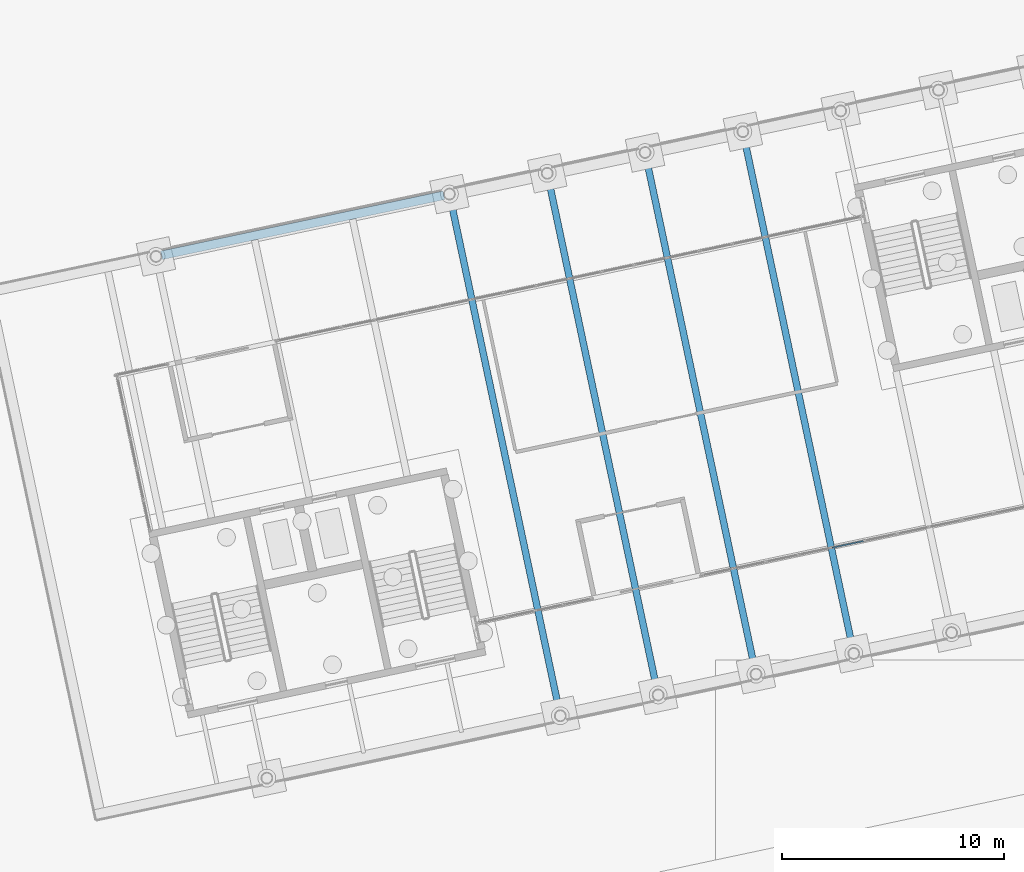
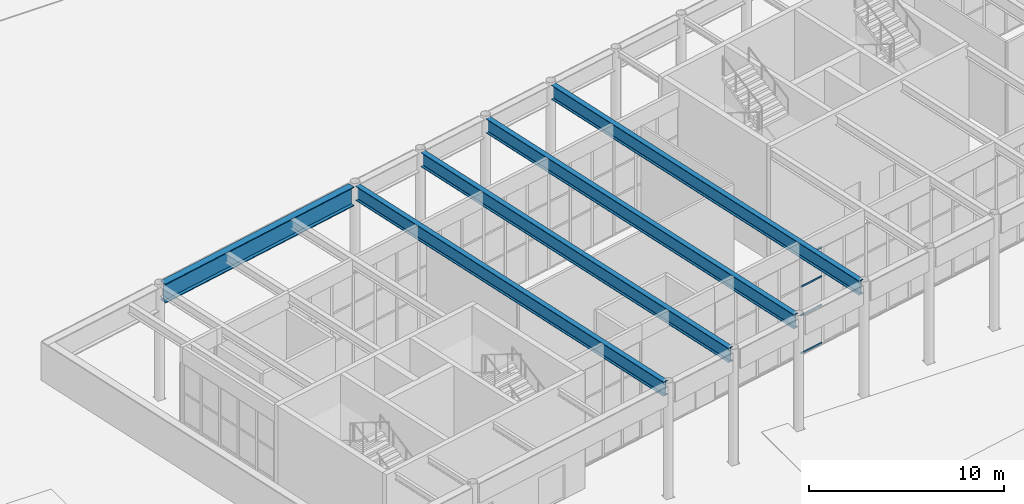
# One storey, part 57 of 239: 5 beams, 4 members, 1 element without a shape of its own.
"""IFC4 building model written with IfcOpenShell, lengths in metres."""

from ifc_helpers import new_model, si_unit, direction, frame, origin, origin_2d, place, context, subcontext, project, spatial, hollow_rectangle, i_section, extrude, material, material_profile, profile_set, type_object, element, aggregate, save


model = new_model("IFC4")

# Units and contexts
model_context = context("Model", 3, precision=1e-05, world=origin(), true_north=direction((0.0, 1.0)))
body_context = subcontext(model_context, "Body", "Model", "MODEL_VIEW")
ifc_project = project(units=[si_unit("LENGTHUNIT", "METRE"), si_unit("AREAUNIT", "SQUARE_METRE"), si_unit("VOLUMEUNIT", "CUBIC_METRE"), si_unit("PLANEANGLEUNIT", "RADIAN"), si_unit("MASSUNIT", "GRAM", prefix="KILO")], contexts=[model_context])

# Site, building, storey
site_placement = place(None, origin())
site = spatial("IfcSite", under=ifc_project, at=site_placement, CompositionType="ELEMENT")
building_placement = place(site_placement, origin())
building = spatial("IfcBuilding", under=site, at=building_placement, Name="Okhra Congress Centre", CompositionType="ELEMENT")
storey_placement = place(building_placement, origin())
storey = spatial("IfcBuildingStorey", under=building, at=storey_placement, Name="L00", CompositionType="ELEMENT", Elevation=0.0)

# Curtain wall, members
ifc_material_1 = material(Name="Aluminium curtain wall, triple glazing", Category="aluminium")
curtain_wall_type = type_object("IfcCurtainWallType", Name="Curtain wall 1500 module", PredefinedType="NOTDEFINED", material=ifc_material_1)
curtain_wall_placement = place(storey_placement, origin())
curtain_wall = element("IfcCurtainWall", 1, at=curtain_wall_placement, inside=storey, type_object=curtain_wall_type, Name="Ground curtain wall S2", PredefinedType="NOTDEFINED")
ifc_material_2 = material(Name="Aluminium alloy EN AW-6063 T66", Category="aluminium")
ifc_material_profile_1 = material_profile(ifc_material_2, hollow_rectangle(XDim=0.06005859375, YDim=0.10009765625, WallThickness=0.00390625, at=origin_2d()), Name="RHS 60x100x4")
ifc_profile_set_1 = profile_set([ifc_material_profile_1], Name="Aluminium alloy EN AW-6063 T66")
member_type = type_object("IfcMemberType", Name="Curtain wall transom 60x100", PredefinedType="USERDEFINED", material=ifc_profile_set_1)
member_1_placement = place(storey_placement, frame((95.244140625, 39.04931640625, 0.030029296875), z_axis=(0.978163159179, 0.207838480616, 0.0), x_axis=(-0.207838480616, 0.978163159179, 0.0)))
member_1 = element("IfcMember", 2, at=member_1_placement, type_object=member_type, Name="CW7 transom 5.1", ObjectType="TRANSOM", PredefinedType="USERDEFINED", context=body_context, shape_type="SweptSolid", body=[
    extrude(hollow_rectangle(XDim=0.06005859375, YDim=0.10009765625, WallThickness=0.00390625, at=origin_2d()), origin(), (0.0, 0.0, 1.0), 1.440185546875),
])
member_2_placement = place(storey_placement, frame((95.244140625, 39.04931640625, 2.39990234375), z_axis=(0.978163159179, 0.207838480616, 0.0), x_axis=(-0.207838480616, 0.978163159179, 0.0)))
member_2 = element("IfcMember", 3, at=member_2_placement, type_object=member_type, Name="CW7 transom 5.2", ObjectType="TRANSOM", PredefinedType="USERDEFINED", context=body_context, shape_type="SweptSolid", body=[
    extrude(hollow_rectangle(XDim=0.06005859375, YDim=0.10009765625, WallThickness=0.00390625, at=origin_2d()), origin(), (0.0, 0.0, 1.0), 1.440185546875),
])
member_3_placement = place(storey_placement, frame((95.244140625, 39.04931640625, 4.199951171875), z_axis=(0.978163159179, 0.207838480616, 0.0), x_axis=(-0.207838480616, 0.978163159179, 0.0)))
member_3 = element("IfcMember", 4, at=member_3_placement, type_object=member_type, Name="CW7 transom 5.3", ObjectType="TRANSOM", PredefinedType="USERDEFINED", context=body_context, shape_type="SweptSolid", body=[
    extrude(hollow_rectangle(XDim=0.06005859375, YDim=0.10009765625, WallThickness=0.00390625, at=origin_2d()), origin(), (0.0, 0.0, 1.0), 1.440185546875),
])
member_4_placement = place(storey_placement, frame((95.244140625, 39.04931640625, 6.02001953125), z_axis=(0.978163159179, 0.207838480616, 0.0), x_axis=(-0.207838480616, 0.978163159179, 0.0)))
member_4 = element("IfcMember", 5, at=member_4_placement, type_object=member_type, Name="CW7 transom 5.4", ObjectType="TRANSOM", PredefinedType="USERDEFINED", context=body_context, shape_type="SweptSolid", body=[
    extrude(hollow_rectangle(XDim=0.06005859375, YDim=0.10009765625, WallThickness=0.00390625, at=origin_2d()), origin(), (0.0, 0.0, 1.0), 1.440185546875),
])
aggregate(curtain_wall, [member_1, member_2, member_3, member_4])

# Beams
ifc_material_3 = material(Name="Steel S355J2", Category="steel")
ifc_material_profile_2 = material_profile(ifc_material_3, i_section(OverallWidth=0.300048828125, OverallDepth=0.89990234375, WebThickness=0.0185546875, FlangeThickness=0.034912109375, FilletRadius=0.030029296875, at=origin_2d()), Name="HE 900 B")
ifc_profile_set_2 = profile_set([ifc_material_profile_2], Name="Steel S355J2")
beam_type_1 = type_object("IfcBeamType", Name="Floor beam HE 900 B", PredefinedType="BEAM", material=ifc_profile_set_2)
beam_1_placement = place(storey_placement, frame((82.977783203125, 31.682861328125, 6.60009765625), z_axis=(-0.20791307081, 0.978147307406, 0.0), x_axis=(-0.978147307406, -0.20791307081, 0.0)))
element("IfcBeam", 6, at=beam_1_placement, inside=storey, type_object=beam_type_1, Name="Floor beam 5.1", PredefinedType="BEAM", context=body_context, shape_type="SweptSolid", body=[
    extrude(i_section(OverallWidth=0.300048828125, OverallDepth=0.89990234375, WebThickness=0.0185546875, FlangeThickness=0.034912109375, FilletRadius=0.030029296875, at=origin_2d()), origin(), (0.0, 0.0, 1.0), 23.599853515625),
])
beam_2_placement = place(storey_placement, frame((87.37939453125, 32.618408203125, 6.60009765625), z_axis=(-0.207910966979, 0.97814775459, 0.0), x_axis=(-0.97814775459, -0.207910966979, 0.0)))
element("IfcBeam", 7, at=beam_2_placement, inside=storey, type_object=beam_type_1, Name="Floor beam 6.1", PredefinedType="BEAM", context=body_context, shape_type="SweptSolid", body=[
    extrude(i_section(OverallWidth=0.300048828125, OverallDepth=0.89990234375, WebThickness=0.0185546875, FlangeThickness=0.034912109375, FilletRadius=0.030029296875, at=origin_2d()), origin(), (0.0, 0.0, 1.0), 23.60009765625),
])
for number, where, z_axis, x_axis, name in (
    (8, (91.781005859375, 33.55419921875, 6.60009765625), (-0.20791307081, 0.978147307406, 0.0), (-0.978147307406, -0.20791307081, 0.0), "Floor beam 7.1"),
    (9, (96.1826171875, 34.48974609375, 6.60009765625), (-0.207903173005, 0.978149411212, 0.0), (-0.978149411212, -0.207903173005, 0.0), "Floor beam 8.1"),
):
    element("IfcBeam", number, at=place(storey_placement, frame(where, z_axis=z_axis, x_axis=x_axis)), inside=storey, type_object=beam_type_1, Name=name, PredefinedType="BEAM", context=body_context, shape_type="SweptSolid", body=[
        extrude(i_section(OverallWidth=0.300048828125, OverallDepth=0.89990234375, WebThickness=0.0185546875, FlangeThickness=0.034912109375, FilletRadius=0.030029296875, at=origin_2d()), origin(), (0.0, 0.0, 1.0), 23.599853515625),
    ])
ifc_material_profile_3 = material_profile(ifc_material_3, i_section(OverallWidth=0.39990234375, OverallDepth=1.199951171875, WebThickness=0.02490234375, FlangeThickness=0.050048828125, at=origin_2d()), Name="Plate girder 1200x400")
ifc_profile_set_3 = profile_set([ifc_material_profile_3], Name="Steel S355J2")
beam_type_2 = type_object("IfcBeamType", Name="Perimeter plate girder 1200x400", PredefinedType="BEAM", material=ifc_profile_set_3)
beam_3_placement = place(storey_placement, frame((65.072998046875, 52.208740234375, 6.449951171875), z_axis=(0.97814757837, 0.207911796032, 0.0), x_axis=(-0.207911796032, 0.97814757837, 0.0)))
element("IfcBeam", 10, at=beam_3_placement, inside=storey, type_object=beam_type_2, Name="Perimeter girder N2", PredefinedType="BEAM", context=body_context, shape_type="SweptSolid", body=[
    extrude(i_section(OverallWidth=0.39990234375, OverallDepth=1.199951171875, WebThickness=0.02490234375, FlangeThickness=0.050048828125, at=origin_2d()), origin(), (0.0, 0.0, 1.0), 12.991943359375),
])

save(model, "model.ifc")
